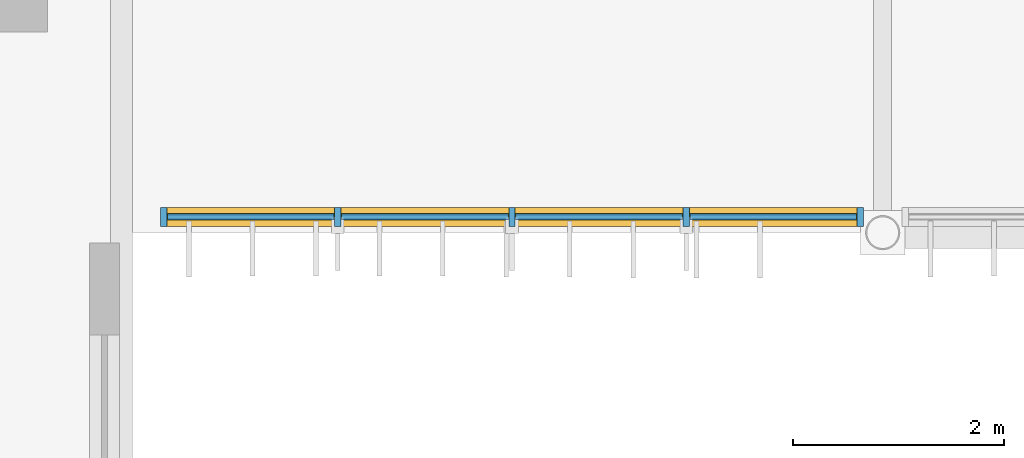
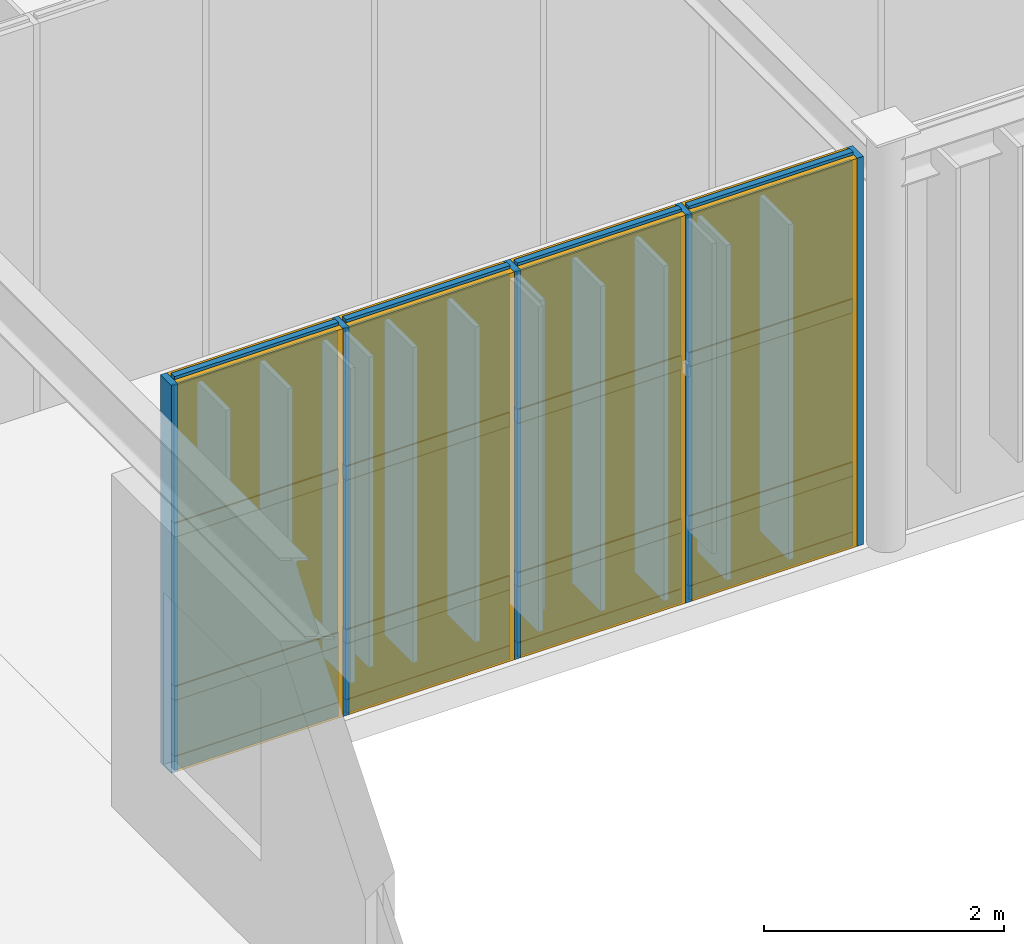
# One storey, part 87 of 122: 21 members, 12 plates, 1 curtain wall.
"""IFC4 building model written with IfcOpenShell, lengths in metres."""

from ifc_helpers import new_model, si_unit, direction, frame, frame_2d, origin, origin_2d, place, context, subcontext, project, spatial, rectangle, extrude, material, layer, layer_set, material_profile, profile_set, type_object, element, aggregate, save


model = new_model("IFC4")

# Units and contexts
model_context = context("Model", 3, precision=1e-05, world=origin(), true_north=direction((0.0, 1.0)))
body_context = subcontext(model_context, "Body", "Model", "MODEL_VIEW")
ifc_project = project(units=[si_unit("LENGTHUNIT", "METRE"), si_unit("AREAUNIT", "SQUARE_METRE"), si_unit("VOLUMEUNIT", "CUBIC_METRE"), si_unit("PLANEANGLEUNIT", "RADIAN"), si_unit("MASSUNIT", "GRAM", prefix="KILO")], contexts=[model_context])

# Member
ifc_material_1 = material(Name="Anodised Bronze Aluminium 6063-T6", Category="aluminium")
ifc_material_profile_1 = material_profile(ifc_material_1, rectangle(XDim=0.06005859375, YDim=0.179931640625, at=origin_2d()), Name="ALU MULLION 60x180")
ifc_profile_set_1 = profile_set([ifc_material_profile_1], Name="Anodised Bronze Aluminium 6063-T6")
member_type_1 = type_object("IfcMemberType", Name="Curtain-Wall Primary Mullion 60x180", PredefinedType="MULLION", material=ifc_profile_set_1)
site_placement = place(None, origin())
building_placement = place(site_placement, origin())
storey_placement = place(building_placement, frame((0.0, 0.0, 4.800048828125)))
member_1_placement = place(storey_placement, frame((95.800048828125, 44.75, 0.0), z_axis=(0.0, 0.0, 1.0), x_axis=(1.0, 0.0, 0.0)))
member_1 = element("IfcMember", 1, at=member_1_placement, type_object=member_type_1, Name="Mullion CWM-01 CW-ELNK-S-L01-B1-M01", PredefinedType="MULLION", context=body_context, shape_type="SweptSolid", body=[
    extrude(rectangle(XDim=0.06005859375, YDim=0.179931640625, at=origin_2d()), origin(), (0.0, 0.0, 1.0), 3.93994140625),
])

member_2_placement = place(storey_placement, frame((97.447021484375, 44.75, 0.0), z_axis=(0.0, 0.0, 1.0), x_axis=(1.0, 0.0, 0.0)))
member_2 = element("IfcMember", 2, at=member_2_placement, type_object=member_type_1, Name="Mullion CWM-01 CW-ELNK-S-L01-B1-M02", PredefinedType="MULLION", context=body_context, shape_type="SweptSolid", body=[
    extrude(rectangle(XDim=0.06005859375, YDim=0.179931640625, at=origin_2d()), origin(), (0.0, 0.0, 1.0), 3.93994140625),
])

member_3_placement = place(storey_placement, frame((99.093994140625, 44.75, 0.0), z_axis=(0.0, 0.0, 1.0), x_axis=(1.0, 0.0, 0.0)))
member_3 = element("IfcMember", 3, at=member_3_placement, type_object=member_type_1, Name="Mullion CWM-01 CW-ELNK-S-L01-B1-M03", PredefinedType="MULLION", context=body_context, shape_type="SweptSolid", body=[
    extrude(rectangle(XDim=0.06005859375, YDim=0.179931640625, at=origin_2d()), origin(), (0.0, 0.0, 1.0), 3.93994140625),
])

member_4_placement = place(storey_placement, frame((100.740966796875, 44.75, 0.0), z_axis=(0.0, 0.0, 1.0), x_axis=(1.0, 0.0, 0.0)))
member_4 = element("IfcMember", 4, at=member_4_placement, type_object=member_type_1, Name="Mullion CWM-01 CW-ELNK-S-L01-B1-M04", PredefinedType="MULLION", context=body_context, shape_type="SweptSolid", body=[
    extrude(rectangle(XDim=0.06005859375, YDim=0.179931640625, at=origin_2d()), origin(), (0.0, 0.0, 1.0), 3.93994140625),
])

member_5_placement = place(storey_placement, frame((102.387939453125, 44.75, 0.0), z_axis=(0.0, 0.0, 1.0), x_axis=(1.0, 0.0, 0.0)))
member_5 = element("IfcMember", 5, at=member_5_placement, type_object=member_type_1, Name="Mullion CWM-01 CW-ELNK-S-L01-B1-M05", PredefinedType="MULLION", context=body_context, shape_type="SweptSolid", body=[
    extrude(rectangle(XDim=0.06005859375, YDim=0.179931640625, at=origin_2d()), origin(), (0.0, 0.0, 1.0), 3.93994140625),
])

ifc_material_profile_2 = material_profile(ifc_material_1, rectangle(XDim=0.06005859375, YDim=0.139892578125, at=origin_2d()), Name="ALU TRANSOM 60x140")
ifc_profile_set_2 = profile_set([ifc_material_profile_2], Name="Anodised Bronze Aluminium 6063-T6")
member_type_2 = type_object("IfcMemberType", Name="Curtain-Wall Transom 60x140", PredefinedType="USERDEFINED", material=ifc_profile_set_2)
member_6_placement = place(storey_placement, frame((95.8349609375, 44.75, 0.0400390625), z_axis=(1.0, 0.0, 0.0), x_axis=(0.0, 1.0, 0.0)))
member_6 = element("IfcMember", 6, at=member_6_placement, type_object=member_type_2, Name="Transom CWT-01 CW-ELNK-S-L01-B1-T01.1", ObjectType="TRANSOM", PredefinedType="USERDEFINED", context=body_context, shape_type="SweptSolid", body=[
    extrude(rectangle(XDim=0.06005859375, YDim=0.139892578125, at=origin_2d()), origin(), (0.0, 0.0, 1.0), 1.5771484375),
])

member_7_placement = place(storey_placement, frame((95.8349609375, 44.75, 0.75), z_axis=(1.0, 0.0, 0.0), x_axis=(0.0, 1.0, 0.0)))
member_7 = element("IfcMember", 7, at=member_7_placement, type_object=member_type_2, Name="Transom CWT-01 CW-ELNK-S-L01-B1-T01.2", ObjectType="TRANSOM", PredefinedType="USERDEFINED", context=body_context, shape_type="SweptSolid", body=[
    extrude(rectangle(XDim=0.06005859375, YDim=0.139892578125, at=origin_2d()), origin(), (0.0, 0.0, 1.0), 1.5771484375),
])

member_8_placement = place(storey_placement, frame((95.8349609375, 44.75, 2.40869140625), z_axis=(1.0, 0.0, 0.0), x_axis=(0.0, 1.0, 0.0)))
member_8 = element("IfcMember", 8, at=member_8_placement, type_object=member_type_2, Name="Transom CWT-01 CW-ELNK-S-L01-B1-T01.3", ObjectType="TRANSOM", PredefinedType="USERDEFINED", context=body_context, shape_type="SweptSolid", body=[
    extrude(rectangle(XDim=0.06005859375, YDim=0.139892578125, at=origin_2d()), origin(), (0.0, 0.0, 1.0), 1.5771484375),
])

member_9_placement = place(storey_placement, frame((95.8349609375, 44.75, 3.89990234375), z_axis=(1.0, 0.0, 0.0), x_axis=(0.0, 1.0, 0.0)))
member_9 = element("IfcMember", 9, at=member_9_placement, type_object=member_type_2, Name="Transom CWT-01 CW-ELNK-S-L01-B1-T01.4", ObjectType="TRANSOM", PredefinedType="USERDEFINED", context=body_context, shape_type="SweptSolid", body=[
    extrude(rectangle(XDim=0.06005859375, YDim=0.139892578125, at=origin_2d()), origin(), (0.0, 0.0, 1.0), 1.5771484375),
])

member_10_placement = place(storey_placement, frame((97.48193359375, 44.75, 0.0400390625), z_axis=(1.0, 0.0, 0.0), x_axis=(0.0, 1.0, 0.0)))
member_10 = element("IfcMember", 10, at=member_10_placement, type_object=member_type_2, Name="Transom CWT-01 CW-ELNK-S-L01-B1-T02.1", ObjectType="TRANSOM", PredefinedType="USERDEFINED", context=body_context, shape_type="SweptSolid", body=[
    extrude(rectangle(XDim=0.06005859375, YDim=0.139892578125, at=origin_2d()), origin(), (0.0, 0.0, 1.0), 1.5771484375),
])

member_11_placement = place(storey_placement, frame((97.48193359375, 44.75, 0.75), z_axis=(1.0, 0.0, 0.0), x_axis=(0.0, 1.0, 0.0)))
member_11 = element("IfcMember", 11, at=member_11_placement, type_object=member_type_2, Name="Transom CWT-01 CW-ELNK-S-L01-B1-T02.2", ObjectType="TRANSOM", PredefinedType="USERDEFINED", context=body_context, shape_type="SweptSolid", body=[
    extrude(rectangle(XDim=0.06005859375, YDim=0.139892578125, at=origin_2d()), origin(), (0.0, 0.0, 1.0), 1.5771484375),
])

member_12_placement = place(storey_placement, frame((97.48193359375, 44.75, 2.40869140625), z_axis=(1.0, 0.0, 0.0), x_axis=(0.0, 1.0, 0.0)))
member_12 = element("IfcMember", 12, at=member_12_placement, type_object=member_type_2, Name="Transom CWT-01 CW-ELNK-S-L01-B1-T02.3", ObjectType="TRANSOM", PredefinedType="USERDEFINED", context=body_context, shape_type="SweptSolid", body=[
    extrude(rectangle(XDim=0.06005859375, YDim=0.139892578125, at=origin_2d()), origin(), (0.0, 0.0, 1.0), 1.5771484375),
])

member_13_placement = place(storey_placement, frame((97.48193359375, 44.75, 3.89990234375), z_axis=(1.0, 0.0, 0.0), x_axis=(0.0, 1.0, 0.0)))
member_13 = element("IfcMember", 13, at=member_13_placement, type_object=member_type_2, Name="Transom CWT-01 CW-ELNK-S-L01-B1-T02.4", ObjectType="TRANSOM", PredefinedType="USERDEFINED", context=body_context, shape_type="SweptSolid", body=[
    extrude(rectangle(XDim=0.06005859375, YDim=0.139892578125, at=origin_2d()), origin(), (0.0, 0.0, 1.0), 1.5771484375),
])

member_14_placement = place(storey_placement, frame((99.12890625, 44.75, 0.0400390625), z_axis=(1.0, 0.0, 0.0), x_axis=(0.0, 1.0, 0.0)))
member_14 = element("IfcMember", 14, at=member_14_placement, type_object=member_type_2, Name="Transom CWT-01 CW-ELNK-S-L01-B1-T03.1", ObjectType="TRANSOM", PredefinedType="USERDEFINED", context=body_context, shape_type="SweptSolid", body=[
    extrude(rectangle(XDim=0.06005859375, YDim=0.139892578125, at=origin_2d()), origin(), (0.0, 0.0, 1.0), 1.5771484375),
])

member_15_placement = place(storey_placement, frame((99.12890625, 44.75, 0.75), z_axis=(1.0, 0.0, 0.0), x_axis=(0.0, 1.0, 0.0)))
member_15 = element("IfcMember", 15, at=member_15_placement, type_object=member_type_2, Name="Transom CWT-01 CW-ELNK-S-L01-B1-T03.2", ObjectType="TRANSOM", PredefinedType="USERDEFINED", context=body_context, shape_type="SweptSolid", body=[
    extrude(rectangle(XDim=0.06005859375, YDim=0.139892578125, at=origin_2d()), origin(), (0.0, 0.0, 1.0), 1.5771484375),
])

member_16_placement = place(storey_placement, frame((99.12890625, 44.75, 2.40869140625), z_axis=(1.0, 0.0, 0.0), x_axis=(0.0, 1.0, 0.0)))
member_16 = element("IfcMember", 16, at=member_16_placement, type_object=member_type_2, Name="Transom CWT-01 CW-ELNK-S-L01-B1-T03.3", ObjectType="TRANSOM", PredefinedType="USERDEFINED", context=body_context, shape_type="SweptSolid", body=[
    extrude(rectangle(XDim=0.06005859375, YDim=0.139892578125, at=origin_2d()), origin(), (0.0, 0.0, 1.0), 1.5771484375),
])

member_17_placement = place(storey_placement, frame((99.12890625, 44.75, 3.89990234375), z_axis=(1.0, 0.0, 0.0), x_axis=(0.0, 1.0, 0.0)))
member_17 = element("IfcMember", 17, at=member_17_placement, type_object=member_type_2, Name="Transom CWT-01 CW-ELNK-S-L01-B1-T03.4", ObjectType="TRANSOM", PredefinedType="USERDEFINED", context=body_context, shape_type="SweptSolid", body=[
    extrude(rectangle(XDim=0.06005859375, YDim=0.139892578125, at=origin_2d()), origin(), (0.0, 0.0, 1.0), 1.5771484375),
])

member_18_placement = place(storey_placement, frame((100.77587890625, 44.75, 0.0400390625), z_axis=(1.0, 0.0, 0.0), x_axis=(0.0, 1.0, 0.0)))
member_18 = element("IfcMember", 18, at=member_18_placement, type_object=member_type_2, Name="Transom CWT-01 CW-ELNK-S-L01-B1-T04.1", ObjectType="TRANSOM", PredefinedType="USERDEFINED", context=body_context, shape_type="SweptSolid", body=[
    extrude(rectangle(XDim=0.06005859375, YDim=0.139892578125, at=origin_2d()), origin(), (0.0, 0.0, 1.0), 1.5771484375),
])

member_19_placement = place(storey_placement, frame((100.77587890625, 44.75, 0.75), z_axis=(1.0, 0.0, 0.0), x_axis=(0.0, 1.0, 0.0)))
member_19 = element("IfcMember", 19, at=member_19_placement, type_object=member_type_2, Name="Transom CWT-01 CW-ELNK-S-L01-B1-T04.2", ObjectType="TRANSOM", PredefinedType="USERDEFINED", context=body_context, shape_type="SweptSolid", body=[
    extrude(rectangle(XDim=0.06005859375, YDim=0.139892578125, at=origin_2d()), origin(), (0.0, 0.0, 1.0), 1.5771484375),
])

member_20_placement = place(storey_placement, frame((100.77587890625, 44.75, 2.40869140625), z_axis=(1.0, 0.0, 0.0), x_axis=(0.0, 1.0, 0.0)))
member_20 = element("IfcMember", 20, at=member_20_placement, type_object=member_type_2, Name="Transom CWT-01 CW-ELNK-S-L01-B1-T04.3", ObjectType="TRANSOM", PredefinedType="USERDEFINED", context=body_context, shape_type="SweptSolid", body=[
    extrude(rectangle(XDim=0.06005859375, YDim=0.139892578125, at=origin_2d()), origin(), (0.0, 0.0, 1.0), 1.5771484375),
])

member_21_placement = place(storey_placement, frame((100.77587890625, 44.75, 3.89990234375), z_axis=(1.0, 0.0, 0.0), x_axis=(0.0, 1.0, 0.0)))
member_21 = element("IfcMember", 21, at=member_21_placement, type_object=member_type_2, Name="Transom CWT-01 CW-ELNK-S-L01-B1-T04.4", ObjectType="TRANSOM", PredefinedType="USERDEFINED", context=body_context, shape_type="SweptSolid", body=[
    extrude(rectangle(XDim=0.06005859375, YDim=0.139892578125, at=origin_2d()), origin(), (0.0, 0.0, 1.0), 1.5771484375),
])

# Plate
ifc_material_2 = material(Name="Insulated Bronze Aluminium Spandrel Panel", Category="aluminium")
ifc_layer_1 = layer(ifc_material_2, 0.050048828125, Name="Insulated Bronze Aluminium Spandrel Panel")
ifc_layer_set_1 = layer_set([ifc_layer_1], Name="Insulated Bronze Aluminium Spandrel Panel")
plate_type_1 = type_object("IfcPlateType", Name="Insulated Anodised Aluminium Spandrel Cassette 50", PredefinedType="CURTAIN_PANEL", material=ifc_layer_set_1)
plate_1_placement = place(storey_placement, frame((96.62353515625, 44.75, 0.070068359375), z_axis=(0.0, 0.0, 1.0), x_axis=(1.0, 0.0, 0.0)))
plate_1 = element("IfcPlate", 22, at=plate_1_placement, type_object=plate_type_1, Name="Curtain Panel CWP-03 CW-ELNK-S-L01-B1-P01.1", PredefinedType="CURTAIN_PANEL", context=body_context, shape_type="SweptSolid", body=[
    extrude(rectangle(XDim=1.576904296875, YDim=0.050048828125, at=origin_2d()), origin(), (0.0, 0.0, 1.0), 0.64990234375),
])

plate_2_placement = place(storey_placement, frame((98.2705078125, 44.75, 0.070068359375), z_axis=(0.0, 0.0, 1.0), x_axis=(1.0, 0.0, 0.0)))
plate_2 = element("IfcPlate", 23, at=plate_2_placement, type_object=plate_type_1, Name="Curtain Panel CWP-03 CW-ELNK-S-L01-B1-P02.1", PredefinedType="CURTAIN_PANEL", context=body_context, shape_type="SweptSolid", body=[
    extrude(rectangle(XDim=1.576904296875, YDim=0.050048828125, at=origin_2d()), origin(), (0.0, 0.0, 1.0), 0.64990234375),
])

plate_3_placement = place(storey_placement, frame((99.91748046875, 44.75, 0.070068359375), z_axis=(0.0, 0.0, 1.0), x_axis=(1.0, 0.0, 0.0)))
plate_3 = element("IfcPlate", 24, at=plate_3_placement, type_object=plate_type_1, Name="Curtain Panel CWP-03 CW-ELNK-S-L01-B1-P03.1", PredefinedType="CURTAIN_PANEL", context=body_context, shape_type="SweptSolid", body=[
    extrude(rectangle(XDim=1.576904296875, YDim=0.050048828125, at=origin_2d()), origin(), (0.0, 0.0, 1.0), 0.64990234375),
])

plate_4_placement = place(storey_placement, frame((101.564453125, 44.75, 0.070068359375), z_axis=(0.0, 0.0, 1.0), x_axis=(1.0, 0.0, 0.0)))
plate_4 = element("IfcPlate", 25, at=plate_4_placement, type_object=plate_type_1, Name="Curtain Panel CWP-03 CW-ELNK-S-L01-B1-P04.1", PredefinedType="CURTAIN_PANEL", context=body_context, shape_type="SweptSolid", body=[
    extrude(rectangle(XDim=1.576904296875, YDim=0.050048828125, at=origin_2d()), origin(), (0.0, 0.0, 1.0), 0.64990234375),
])

ifc_material_3 = material(Name="Solar-Control Tempered Double Glazing", Category="glass")
ifc_layer_2 = layer(ifc_material_3, 0.0380859375, Name="Solar-Control Tempered Double Glazing")
ifc_layer_set_2 = layer_set([ifc_layer_2], Name="Solar-Control Tempered Double Glazing")
plate_type_2 = type_object("IfcPlateType", Name="Solar-Control Vision Glazing Unit 38", PredefinedType="CURTAIN_PANEL", material=ifc_layer_set_2)
plate_5_placement = place(storey_placement, frame((96.62353515625, 44.75, 0.77978515625), z_axis=(0.0, 0.0, 1.0), x_axis=(1.0, 0.0, 0.0)))
plate_5 = element("IfcPlate", 26, at=plate_5_placement, type_object=plate_type_2, Name="Curtain Panel CWP-02 CW-ELNK-S-L01-B1-P01.2", PredefinedType="CURTAIN_PANEL", context=body_context, shape_type="SweptSolid", body=[
    extrude(rectangle(XDim=1.576904296875, YDim=0.0380859375, at=origin_2d()), origin(), (0.0, 0.0, 1.0), 1.598876953125),
])

plate_6_placement = place(storey_placement, frame((96.62353515625, 44.75, 2.438720703125), z_axis=(0.0, 0.0, 1.0), x_axis=(1.0, 0.0, 0.0)))
plate_6 = element("IfcPlate", 27, at=plate_6_placement, type_object=plate_type_2, Name="Curtain Panel CWP-02 CW-ELNK-S-L01-B1-P01.3", PredefinedType="CURTAIN_PANEL", context=body_context, shape_type="SweptSolid", body=[
    extrude(rectangle(XDim=1.576904296875, YDim=0.0380859375, at=origin_2d()), origin(), (0.0, 0.0, 1.0), 1.43115234375),
])

plate_7_placement = place(storey_placement, frame((98.2705078125, 44.75, 0.77978515625), z_axis=(0.0, 0.0, 1.0), x_axis=(1.0, 0.0, 0.0)))
plate_7 = element("IfcPlate", 28, at=plate_7_placement, type_object=plate_type_2, Name="Curtain Panel CWP-02 CW-ELNK-S-L01-B1-P02.2", PredefinedType="CURTAIN_PANEL", context=body_context, shape_type="SweptSolid", body=[
    extrude(rectangle(XDim=1.576904296875, YDim=0.0380859375, at=origin_2d()), origin(), (0.0, 0.0, 1.0), 1.598876953125),
])

plate_8_placement = place(storey_placement, frame((98.2705078125, 44.75, 2.438720703125), z_axis=(0.0, 0.0, 1.0), x_axis=(1.0, 0.0, 0.0)))
plate_8 = element("IfcPlate", 29, at=plate_8_placement, type_object=plate_type_2, Name="Curtain Panel CWP-02 CW-ELNK-S-L01-B1-P02.3", PredefinedType="CURTAIN_PANEL", context=body_context, shape_type="SweptSolid", body=[
    extrude(rectangle(XDim=1.576904296875, YDim=0.0380859375, at=origin_2d()), origin(), (0.0, 0.0, 1.0), 1.43115234375),
])

plate_9_placement = place(storey_placement, frame((99.91748046875, 44.75, 0.77978515625), z_axis=(0.0, 0.0, 1.0), x_axis=(1.0, 0.0, 0.0)))
plate_9 = element("IfcPlate", 30, at=plate_9_placement, type_object=plate_type_2, Name="Curtain Panel CWP-02 CW-ELNK-S-L01-B1-P03.2", PredefinedType="CURTAIN_PANEL", context=body_context, shape_type="SweptSolid", body=[
    extrude(rectangle(XDim=1.576904296875, YDim=0.0380859375, at=origin_2d()), origin(), (0.0, 0.0, 1.0), 1.598876953125),
])

plate_10_placement = place(storey_placement, frame((99.91748046875, 44.75, 2.438720703125), z_axis=(0.0, 0.0, 1.0), x_axis=(1.0, 0.0, 0.0)))
plate_10 = element("IfcPlate", 31, at=plate_10_placement, type_object=plate_type_2, Name="Curtain Panel CWP-02 CW-ELNK-S-L01-B1-P03.3", PredefinedType="CURTAIN_PANEL", context=body_context, shape_type="SweptSolid", body=[
    extrude(rectangle(XDim=1.576904296875, YDim=0.0380859375, at=origin_2d()), origin(), (0.0, 0.0, 1.0), 1.43115234375),
])

plate_11_placement = place(storey_placement, frame((101.564453125, 44.75, 0.77978515625), z_axis=(0.0, 0.0, 1.0), x_axis=(1.0, 0.0, 0.0)))
plate_11 = element("IfcPlate", 32, at=plate_11_placement, type_object=plate_type_2, Name="Curtain Panel CWP-02 CW-ELNK-S-L01-B1-P04.2", PredefinedType="CURTAIN_PANEL", context=body_context, shape_type="SweptSolid", body=[
    extrude(rectangle(XDim=1.576904296875, YDim=0.0380859375, at=origin_2d()), origin(), (0.0, 0.0, 1.0), 1.598876953125),
])

plate_12_placement = place(storey_placement, frame((101.564453125, 44.75, 2.438720703125), z_axis=(0.0, 0.0, 1.0), x_axis=(1.0, 0.0, 0.0)))
plate_12 = element("IfcPlate", 33, at=plate_12_placement, type_object=plate_type_2, Name="Curtain Panel CWP-02 CW-ELNK-S-L01-B1-P04.3", PredefinedType="CURTAIN_PANEL", context=body_context, shape_type="SweptSolid", body=[
    extrude(rectangle(XDim=1.576904296875, YDim=0.0380859375, at=origin_2d()), origin(), (0.0, 0.0, 1.0), 1.43115234375),
])

# Site, building, storey
site = spatial("IfcSite", under=ifc_project, at=site_placement, CompositionType="ELEMENT")
building = spatial("IfcBuilding", under=site, at=building_placement, Name="Tazoul Stagehouse", CompositionType="ELEMENT")
storey = spatial("IfcBuildingStorey", under=building, at=storey_placement, Name="L01", CompositionType="ELEMENT", Elevation=4.800048828125)

# Curtain wall
curtain_wall_type = type_object("IfcCurtainWallType", Name="Foyer Clear Solar-Control Curtain Wall", PredefinedType="NOTDEFINED", material=ifc_material_1)
curtain_wall_placement = place(storey_placement, frame((95.800048828125, 44.75, 0.0), z_axis=(0.0, 0.0, 1.0), x_axis=(1.0, 0.0, 0.0)))
curtain_wall = element("IfcCurtainWall", 34, at=curtain_wall_placement, inside=storey, type_object=curtain_wall_type, Name="L01 Curtain Wall CW-02 (CW-ELNK-S-L01-B1)", PredefinedType="NOTDEFINED", context=body_context, shape_type="SweptSolid", body=[
    extrude(rectangle(XDim=6.587890625, YDim=0.179931640625, at=frame_2d((3.2939453125, 0.0))), origin(), (0.0, 0.0, 1.0), 3.93994140625),
])

aggregate(curtain_wall, [member_1, member_2, member_3, member_4, member_5, member_6, member_7, member_8, member_9, plate_1, plate_5, plate_6, member_10, member_11, member_12, member_13, plate_2, plate_7, plate_8, member_14, member_15, member_16, member_17, plate_3, plate_9, plate_10, member_18, member_19, member_20, member_21, plate_4, plate_11, plate_12])

save(model, "model.ifc")
